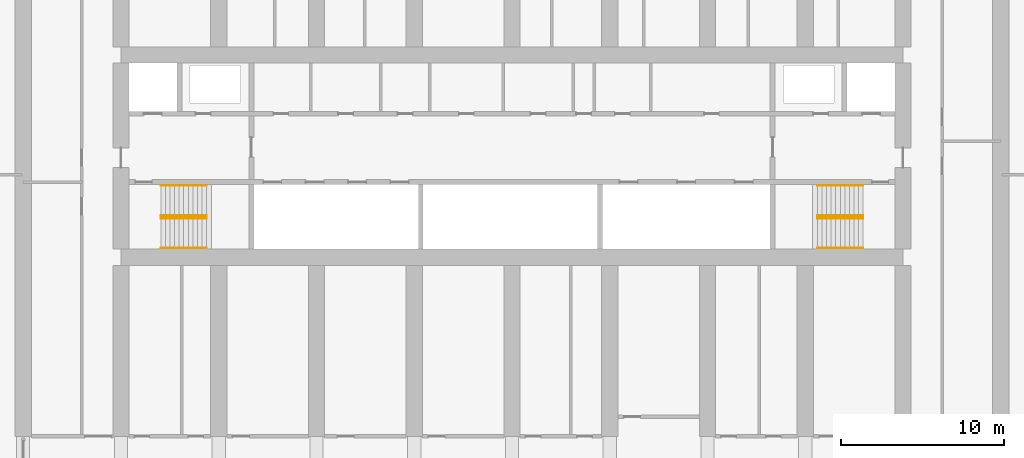
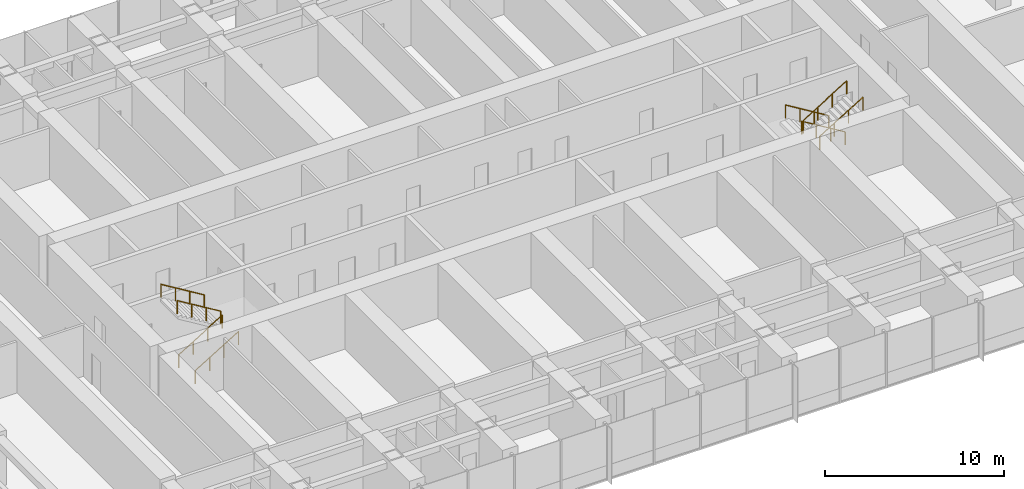
# One storey, part 23 of 23: 8 railings.
"""IFC4 building model written with IfcOpenShell, lengths in metres."""

from ifc_helpers import new_model, si_unit, direction, frame, origin, origin_2d, place, context, subcontext, project, spatial, circle, extrude, material, type_object, element, save


model = new_model("IFC4")

# Units and contexts
model_context = context("Model", 3, precision=1e-05, world=origin(), true_north=direction((0.0, 1.0)))
body_context = subcontext(model_context, "Body", "Model", "MODEL_VIEW")
ifc_project = project(units=[si_unit("LENGTHUNIT", "METRE"), si_unit("AREAUNIT", "SQUARE_METRE"), si_unit("VOLUMEUNIT", "CUBIC_METRE"), si_unit("PLANEANGLEUNIT", "RADIAN"), si_unit("MASSUNIT", "GRAM", prefix="KILO")], contexts=[model_context])

# Site, building, storey
site_placement = place(None, origin())
site = spatial("IfcSite", under=ifc_project, at=site_placement, CompositionType="ELEMENT")
building_placement = place(site_placement, origin())
building = spatial("IfcBuilding", under=site, at=building_placement, Name="Orbita Commons", CompositionType="ELEMENT")
storey_placement = place(building_placement, frame((0.0, 0.0, 61.449951171875)))
storey = spatial("IfcBuildingStorey", under=building, at=storey_placement, Name="L15", CompositionType="ELEMENT", Elevation=61.449951171875)

# Railings
ifc_material = material(Name="Steel tube, painted", Category="steel")
railing_type = type_object("IfcRailingType", Name="Stair handrail steel tube 900", PredefinedType="HANDRAIL", material=ifc_material)
for number, where, name in (
    (1, (20.449951171875, 28.18994140625, 0.17041015625), "Stair S1 handrail L15 flight 1"),
    (2, (20.449951171875, 26.360107421875, 0.17041015625), "Stair S1 handrail L15 flight 1"),
):
    element("IfcRailing", number, at=place(storey_placement, frame(where)), inside=storey, type_object=railing_type, Name=name, PredefinedType="HANDRAIL", context=body_context, shape_type="SweptSolid", body=[
        extrude(circle(Radius=0.02099609375, at=origin_2d()), frame((0.0, 0.0, 0.87890625), z_axis=(0.854169791009, 0.0, 0.51999420009), x_axis=(0.0, 1.0, 0.0)), (0.0, 0.0, 1.0), 3.278076171875),
        extrude(circle(Radius=0.02001953125, at=origin_2d()), origin(), (0.0, 0.0, 1.0), 0.85791015625),
        extrude(circle(Radius=0.02001953125, at=origin_2d()), frame((0.933349609375, 0.0, 0.568115234375)), (0.0, 0.0, 1.0), 0.85791015625),
        extrude(circle(Radius=0.02001953125, at=origin_2d()), frame((1.86669921875, 0.0, 1.136474609375)), (0.0, 0.0, 1.0), 0.85791015625),
        extrude(circle(Radius=0.02001953125, at=origin_2d()), frame((2.800048828125, 0.0, 1.70458984375)), (0.0, 0.0, 1.0), 0.85791015625),
    ])
for number, where, name in (
    (3, (23.25, 28.360107421875, 2.04541015625), "Stair S1 handrail L15 flight 2"),
    (4, (23.25, 30.18994140625, 2.04541015625), "Stair S1 handrail L15 flight 2"),
    (5, (63.550048828125, 28.360107421875, 0.17041015625), "Stair S2 handrail L15 flight 1"),
    (6, (63.550048828125, 30.18994140625, 0.17041015625), "Stair S2 handrail L15 flight 1"),
):
    element("IfcRailing", number, at=place(storey_placement, frame(where)), inside=storey, type_object=railing_type, Name=name, PredefinedType="HANDRAIL", context=body_context, shape_type="SweptSolid", body=[
        extrude(circle(Radius=0.02099609375, at=origin_2d()), frame((0.0, 0.0, 0.87890625), z_axis=(-0.854169791009, 0.0, 0.51999420009), x_axis=(0.0, -1.0, 0.0)), (0.0, 0.0, 1.0), 3.278076171875),
        extrude(circle(Radius=0.02001953125, at=origin_2d()), origin(), (0.0, 0.0, 1.0), 0.85791015625),
        extrude(circle(Radius=0.02001953125, at=origin_2d()), frame((-0.933349609375, 0.0, 0.568115234375)), (0.0, 0.0, 1.0), 0.85791015625),
        extrude(circle(Radius=0.02001953125, at=origin_2d()), frame((-1.86669921875, 0.0, 1.136474609375)), (0.0, 0.0, 1.0), 0.85791015625),
        extrude(circle(Radius=0.02001953125, at=origin_2d()), frame((-2.800048828125, 0.0, 1.70458984375)), (0.0, 0.0, 1.0), 0.85791015625),
    ])
for number, where, name in (
    (7, (60.75, 28.18994140625, 2.04541015625), "Stair S2 handrail L15 flight 2"),
    (8, (60.75, 26.360107421875, 2.04541015625), "Stair S2 handrail L15 flight 2"),
):
    element("IfcRailing", number, at=place(storey_placement, frame(where)), inside=storey, type_object=railing_type, Name=name, PredefinedType="HANDRAIL", context=body_context, shape_type="SweptSolid", body=[
        extrude(circle(Radius=0.02099609375, at=origin_2d()), frame((0.0, 0.0, 0.87890625), z_axis=(0.854169791009, 0.0, 0.51999420009), x_axis=(0.0, 1.0, 0.0)), (0.0, 0.0, 1.0), 3.278076171875),
        extrude(circle(Radius=0.02001953125, at=origin_2d()), origin(), (0.0, 0.0, 1.0), 0.85791015625),
        extrude(circle(Radius=0.02001953125, at=origin_2d()), frame((0.933349609375, 0.0, 0.568115234375)), (0.0, 0.0, 1.0), 0.85791015625),
        extrude(circle(Radius=0.02001953125, at=origin_2d()), frame((1.86669921875, 0.0, 1.136474609375)), (0.0, 0.0, 1.0), 0.85791015625),
        extrude(circle(Radius=0.02001953125, at=origin_2d()), frame((2.800048828125, 0.0, 1.70458984375)), (0.0, 0.0, 1.0), 0.85791015625),
    ])

save(model, "model.ifc")
